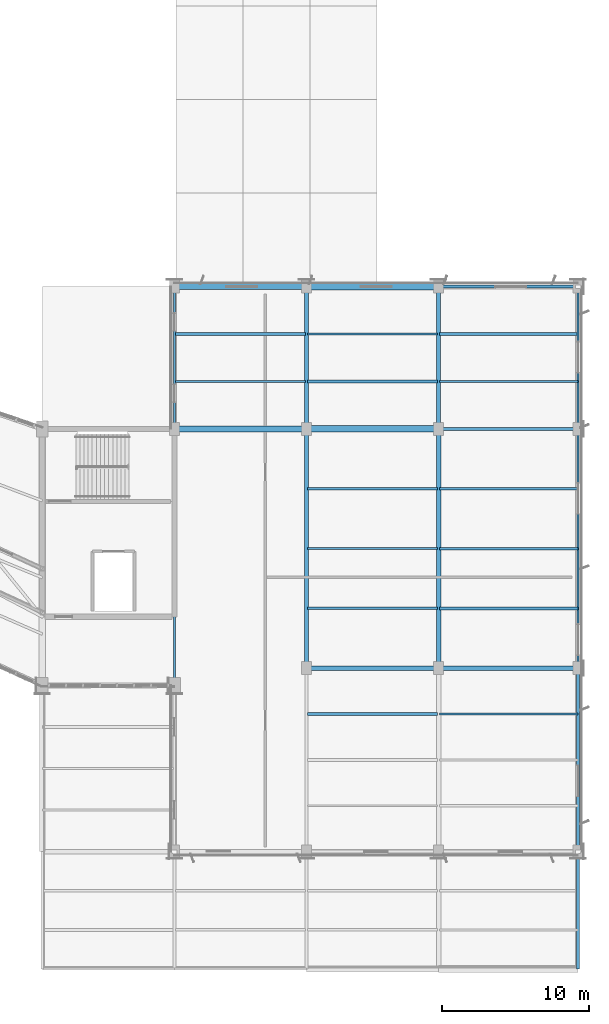
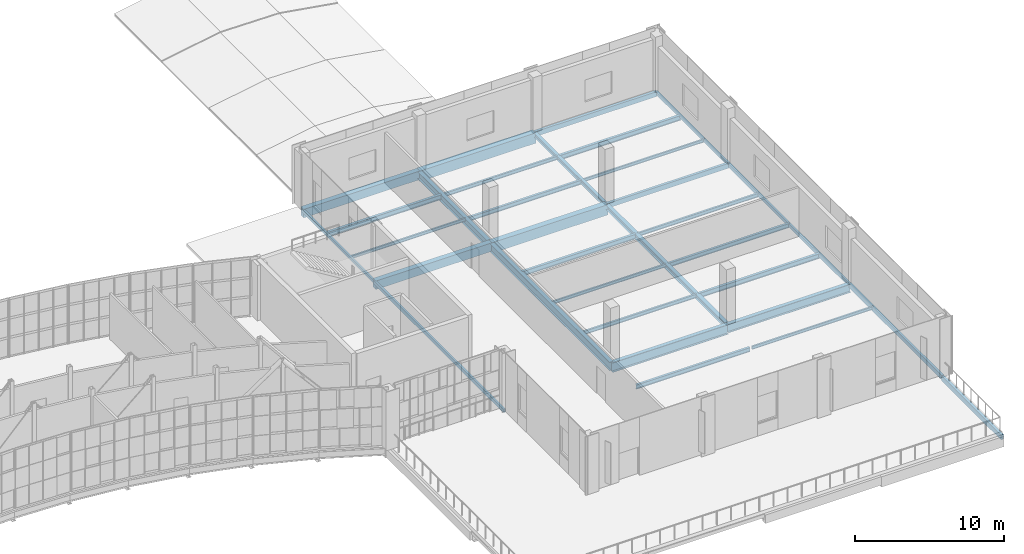
# One storey, part 54 of 86: 32 beams.
"""IFC4 building model written with IfcOpenShell, lengths in metres."""

import ifcopenshell
import ifcopenshell.guid

model = None  # the IFC model being written
_history = None  # IfcOwnerHistory: only IFC2X3 demands one
_inside = {}  # id of a spatial element -> (the spatial element, [elements in it])
_under = {}  # id of a project, library or spatial element -> (it, [spatial elements below it])
_declared = {}  # id of a project -> (the project, [libraries it declares])
_typed = {}  # id of a type object -> (the type object, [elements of that type])
_made_of = {}  # id of a material, layer set ... -> (it, [elements and type objects made of it])


def new_model(schema):
    """Start an empty IFC model of exactly this schema.

    Asked for "IFC4X3", IfcOpenShell would pick the latest addendum, in which some entities
    have other attributes; the version numbers below select the first issue.
    IFC2X3 requires an IfcOwnerHistory on every rooted entity: one is made here for all.
    """
    global model, _history
    if schema == "IFC4X3":
        model = ifcopenshell.file(schema_version=(4, 3, 0, 0))
    else:
        model = ifcopenshell.file(schema=schema)
    _inside.clear()
    _under.clear()
    _declared.clear()
    _typed.clear()
    _made_of.clear()
    _history = None
    if model.schema == "IFC2X3":
        org = make("IfcOrganization", Name="unknown")
        user = make(
            "IfcPersonAndOrganization",
            ThePerson=make("IfcPerson", FamilyName="unknown"),
            TheOrganization=org,
        )
        app = make(
            "IfcApplication",
            ApplicationDeveloper=org,
            Version="unknown",
            ApplicationFullName="unknown",
            ApplicationIdentifier="unknown",
        )
        _history = make(
            "IfcOwnerHistory",
            OwningUser=user,
            OwningApplication=app,
            ChangeAction="ADDED",
            CreationDate=0,
        )
    return model


def make(cls, **values):
    """One entity of the class cls with the attributes given. An attribute that is None is left unset."""
    return model.create_entity(
        cls, **{name: value for name, value in values.items() if value is not None}
    )


def rooted(cls, **values):
    """An entity with a GlobalId (a new one), such as an element, a storey or a relation."""
    return make(cls, GlobalId=ifcopenshell.guid.new(), OwnerHistory=_history, **values)


def si_unit(unit_type, name, prefix=None):
    """IfcSIUnit, for example si_unit("LENGTHUNIT", "METRE", prefix="MILLI")."""
    return make("IfcSIUnit", UnitType=unit_type, Prefix=prefix, Name=name)


def assignment(units):
    """IfcUnitAssignment: the units of a project."""
    return None if units is None else make("IfcUnitAssignment", Units=units)


def point(xyz):
    """IfcCartesianPoint."""
    return None if xyz is None else make("IfcCartesianPoint", Coordinates=xyz)


def direction(xyz):
    """IfcDirection."""
    return None if xyz is None else make("IfcDirection", DirectionRatios=xyz)


def frame(location, z_axis=None, x_axis=None):
    """IfcAxis2Placement3D, a coordinate frame: its origin and axes. An axis left out is left unset."""
    return make(
        "IfcAxis2Placement3D",
        Location=point(location),
        Axis=direction(z_axis),
        RefDirection=direction(x_axis),
    )


def frame_2d(location, x_axis=None):
    """IfcAxis2Placement2D, a coordinate frame in the plane: its origin and x axis."""
    return make(
        "IfcAxis2Placement2D", Location=point(location), RefDirection=direction(x_axis)
    )


def origin():
    """The frame at (0, 0, 0) with its axes left unset."""
    return frame((0.0, 0.0, 0.0))


def origin_2d():
    """The frame at (0, 0) in the plane with its x axis left unset."""
    return frame_2d((0.0, 0.0))


def place(relative_to, where):
    """IfcLocalPlacement: puts the frame where relative to a parent placement (None: the world)."""
    return make(
        "IfcLocalPlacement", PlacementRelTo=relative_to, RelativePlacement=where
    )


def context(
    kind, dimensions, precision=None, world=None, true_north=None, identifier=None
):
    """IfcGeometricRepresentationContext, for example the 3D "Model" context."""
    return make(
        "IfcGeometricRepresentationContext",
        ContextIdentifier=identifier,
        ContextType=kind,
        CoordinateSpaceDimension=dimensions,
        Precision=precision,
        WorldCoordinateSystem=world,
        TrueNorth=true_north,
    )


def subcontext(parent, identifier, kind, view, scale=None):
    """IfcGeometricRepresentationSubContext, for example "Body" below "Model"."""
    return make(
        "IfcGeometricRepresentationSubContext",
        ContextIdentifier=identifier,
        ContextType=kind,
        ParentContext=parent,
        TargetScale=scale,
        TargetView=view,
    )


def project(units=None, contexts=None):
    """IfcProject with its units and contexts."""
    return rooted(
        "IfcProject",
        Name="project",
        RepresentationContexts=contexts,
        UnitsInContext=assignment(units),
    )


def spatial(cls, under=None, at=None, **own):
    """A site, building, storey or space (cls), placed at a placement, below another one or the project."""
    s = rooted(cls, ObjectPlacement=at, **own)
    if under is not None:
        _under.setdefault(under.id(), (under, []))[1].append(s)
    return s


def profile(cls, at=None, kind="AREA", **sizes):
    """A parametric profile (cls). Its sizes go by their IFC names, for example OverallWidth=200.0."""
    return make(cls, ProfileType=kind, Position=at, **sizes)


def rectangle(**sizes):
    """IfcRectangleProfileDef."""
    return profile("IfcRectangleProfileDef", **sizes)


def hollow_rectangle(**sizes):
    """IfcRectangleHollowProfileDef."""
    return profile("IfcRectangleHollowProfileDef", **sizes)


def i_section(**sizes):
    """IfcIShapeProfileDef."""
    return profile("IfcIShapeProfileDef", **sizes)


def extrude(swept, where, along, depth):
    """IfcExtrudedAreaSolid: the profile swept, set in the frame where, extruded along a direction by depth."""
    return make(
        "IfcExtrudedAreaSolid",
        SweptArea=swept,
        Position=where,
        ExtrudedDirection=direction(along),
        Depth=depth,
    )


def shape(context_of_items, identifier, shape_type, items):
    """IfcShapeRepresentation: the items that make up one representation, for example the "Body"."""
    return make(
        "IfcShapeRepresentation",
        ContextOfItems=context_of_items,
        RepresentationIdentifier=identifier,
        RepresentationType=shape_type,
        Items=items,
    )


def material(Name=None, Category=None):
    """IfcMaterial."""
    return make("IfcMaterial", Name=Name, Category=Category)


def material_profile(
    of_material, cross_section, Name=None, Category=None, Priority=None
):
    """IfcMaterialProfile: a cross section and its material."""
    return make(
        "IfcMaterialProfile",
        Name=Name,
        Material=of_material,
        Profile=cross_section,
        Priority=Priority,
        Category=Category,
    )


def profile_set(profiles, Name=None, composite=None):
    """IfcMaterialProfileSet."""
    return make(
        "IfcMaterialProfileSet",
        Name=Name,
        MaterialProfiles=profiles,
        CompositeProfile=composite,
    )


def made_of(thing, what):
    """Note that an element or type object is made of a material, layer set ...; save() writes the relation."""
    if what is not None:
        _made_of.setdefault(what.id(), (what, []))[1].append(thing)
    return thing


def type_object(cls, material=None, **own):
    """A type object (cls), such as IfcWallType, which elements share."""
    return made_of(rooted(cls, **own), material)


def element(
    cls,
    number,
    at=None,
    inside=None,
    cuts=None,
    type_object=None,
    material=None,
    context=None,
    identifier="Body",
    shape_type=None,
    held_by="IfcProductDefinitionShape",
    body=None,
    shapes=None,
    **own,
):
    """One element of the class cls, such as IfcWall. Its Tag is "e" and its number.

    at: its placement. inside: the storey or other place that contains it. cuts: it is an
    opening in that element (IfcRelVoidsElement). A single representation is given by context,
    identifier, shape_type and body (its items); several are given by shapes. held_by: the class
    of the entity that holds the representations. save() writes the other relations.
    """
    e = rooted(cls, Tag="e%d" % number, ObjectPlacement=at, **own)
    if body is not None:
        shapes = [shape(context, identifier, shape_type, body)]
    if shapes is not None:
        e.Representation = make(held_by, Representations=shapes)
    if inside is not None:
        _inside.setdefault(inside.id(), (inside, []))[1].append(e)
    if cuts is not None:
        rooted(
            "IfcRelVoidsElement", RelatingBuildingElement=cuts, RelatedOpeningElement=e
        )
    if type_object is not None:
        _typed.setdefault(type_object.id(), (type_object, []))[1].append(e)
    return made_of(e, material)


def aggregate(whole, parts):
    """IfcRelAggregates: a whole, such as a stair, and the parts it consists of."""
    return rooted("IfcRelAggregates", RelatingObject=whole, RelatedObjects=parts)


def save(model, path):
    """Write the relations noted so far, then the file.

    IfcRelAggregates (storeys below a building ...), IfcRelContainedInSpatialStructure (elements
    in a storey), IfcRelDefinesByType, IfcRelAssociatesMaterial and IfcRelDeclares: one each for
    every whole, place, type object, material and project.
    """
    for whole, parts in _under.values():
        aggregate(whole, parts)
    for where, things in _inside.values():
        rooted(
            "IfcRelContainedInSpatialStructure",
            RelatedElements=things,
            RelatingStructure=where,
        )
    for kind, things in _typed.values():
        rooted("IfcRelDefinesByType", RelatedObjects=things, RelatingType=kind)
    for what, things in _made_of.values():
        rooted("IfcRelAssociatesMaterial", RelatedObjects=things, RelatingMaterial=what)
    for by, libraries in _declared.values():
        rooted("IfcRelDeclares", RelatingContext=by, RelatedDefinitions=libraries)
    model.write(path)


model = new_model("IFC4")

# Units and contexts
model_context = context("Model", 3, precision=1e-05, world=origin(), true_north=direction((0.0, 1.0)))
body_context = subcontext(model_context, "Body", "Model", "MODEL_VIEW")
ifc_project = project(units=[si_unit("LENGTHUNIT", "METRE"), si_unit("AREAUNIT", "SQUARE_METRE"), si_unit("VOLUMEUNIT", "CUBIC_METRE"), si_unit("PLANEANGLEUNIT", "RADIAN"), si_unit("MASSUNIT", "GRAM", prefix="KILO")], contexts=[model_context])

# Site, building, storey
site_placement = place(None, origin())
site = spatial("IfcSite", under=ifc_project, at=site_placement, CompositionType="ELEMENT")
building_placement = place(site_placement, origin())
building = spatial("IfcBuilding", under=site, at=building_placement, Name="Solvikara Media Centre", CompositionType="ELEMENT")
storey_placement = place(building_placement, frame((0.0, 0.0, 15.0)))
storey = spatial("IfcBuildingStorey", under=building, at=storey_placement, Name="L03", CompositionType="ELEMENT", Elevation=15.0)

# Beams
ifc_material_1 = material(Name="Concrete fc' 35 MPa (C35/45)", Category="concrete")
ifc_material_profile_1 = material_profile(ifc_material_1, rectangle(XDim=0.39990234375, YDim=0.699951171875, at=origin_2d()), Name="RC 400x700")
ifc_profile_set_1 = profile_set([ifc_material_profile_1], Name="Concrete fc' 35 MPa (C35/45)")
beam_type_1 = type_object("IfcBeamType", Name="BM-13", PredefinedType="SPANDREL", material=ifc_profile_set_1)
for number, where, z_axis, x_axis, name in (
    (1, (136.5, 36.800048828125, -0.590087890625), (1.0, 0.0, 0.0), (0.0, 1.0, 0.0), "B-L03-X1189"),
    (2, (136.5, 46.5, -0.590087890625), (1.0, 0.0, 0.0), (0.0, 1.0, 0.0), "B-L03-X1195"),
):
    element("IfcBeam", number, at=place(storey_placement, frame(where, z_axis=z_axis, x_axis=x_axis)), inside=storey, type_object=beam_type_1, Name=name, PredefinedType="SPANDREL", context=body_context, shape_type="SweptSolid", body=[
        extrude(rectangle(XDim=0.39990234375, YDim=0.699951171875, at=origin_2d()), origin(), (0.0, 0.0, 1.0), 9.0),
    ])
ifc_material_profile_2 = material_profile(ifc_material_1, rectangle(XDim=0.449951171875, YDim=0.85009765625, at=origin_2d()), Name="RC 450x850")
ifc_profile_set_2 = profile_set([ifc_material_profile_2], Name="Concrete fc' 35 MPa (C35/45)")
beam_type_2 = type_object("IfcBeamType", Name="BM-14", PredefinedType="SPANDREL", material=ifc_profile_set_2)
for number, where, z_axis, x_axis, name in (
    (3, (145.5, 36.800048828125, -0.6650390625), (1.0, 0.0, 0.0), (0.0, 1.0, 0.0), "B-L03-X1190"),
    (4, (145.5, 46.5, -0.6650390625), (1.0, 0.0, 0.0), (0.0, 1.0, 0.0), "B-L03-X1196"),
):
    element("IfcBeam", number, at=place(storey_placement, frame(where, z_axis=z_axis, x_axis=x_axis)), inside=storey, type_object=beam_type_2, Name=name, PredefinedType="SPANDREL", context=body_context, shape_type="SweptSolid", body=[
        extrude(rectangle(XDim=0.449951171875, YDim=0.85009765625, at=origin_2d()), origin(), (0.0, 0.0, 1.0), 9.0),
    ])
ifc_material_2 = material(Name="Steel S355JR", Category="steel")
ifc_material_profile_3 = material_profile(ifc_material_2, i_section(OverallWidth=0.300048828125, OverallDepth=0.800048828125, WebThickness=0.013916015625, FlangeThickness=0.02587890625, at=origin_2d()), Name="WF 800x300x14x26")
ifc_profile_set_3 = profile_set([ifc_material_profile_3], Name="Steel S355JR")
beam_type_3 = type_object("IfcBeamType", Name="BM-16", PredefinedType="BEAM", material=ifc_profile_set_3)
beam_1_placement = place(storey_placement, frame((145.5, 20.5, -0.64208984375), z_axis=(1.0, 0.0, 0.0), x_axis=(0.0, 1.0, 0.0)))
element("IfcBeam", 5, at=beam_1_placement, inside=storey, type_object=beam_type_3, Name="B-L03-X1177", PredefinedType="BEAM", context=body_context, shape_type="SweptSolid", body=[
    extrude(i_section(OverallWidth=0.300048828125, OverallDepth=0.800048828125, WebThickness=0.013916015625, FlangeThickness=0.02587890625, at=origin_2d()), origin(), (0.0, 0.0, 1.0), 9.0),
])
ifc_material_profile_4 = material_profile(ifc_material_2, i_section(OverallWidth=0.300048828125, OverallDepth=0.699951171875, WebThickness=0.012939453125, FlangeThickness=0.02392578125, at=origin_2d()), Name="WF 700x300x13x24")
ifc_profile_set_4 = profile_set([ifc_material_profile_4], Name="Steel S355JR")
beam_type_4 = type_object("IfcBeamType", Name="BM-17", PredefinedType="BEAM", material=ifc_profile_set_4)
beam_2_placement = place(storey_placement, frame((154.5, 20.5, -0.592041015625), z_axis=(1.0, 0.0, 0.0), x_axis=(0.0, 1.0, 0.0)))
element("IfcBeam", 6, at=beam_2_placement, inside=storey, type_object=beam_type_4, Name="B-L03-X1178", PredefinedType="BEAM", context=body_context, shape_type="SweptSolid", body=[
    extrude(i_section(OverallWidth=0.300048828125, OverallDepth=0.699951171875, WebThickness=0.012939453125, FlangeThickness=0.02392578125, at=origin_2d()), origin(), (0.0, 0.0, 1.0), 9.5),
])
ifc_material_profile_5 = material_profile(ifc_material_2, i_section(OverallWidth=0.199951171875, OverallDepth=0.39990234375, WebThickness=0.008056640625, FlangeThickness=0.012939453125, at=origin_2d()), Name="WF 400x200x8x13")
ifc_profile_set_5 = profile_set([ifc_material_profile_5], Name="Steel S355JR")
beam_type_5 = type_object("IfcBeamType", Name="BM-21", PredefinedType="JOIST", material=ifc_profile_set_5)
beam_3_placement = place(storey_placement, frame((154.577880859375, 43.26708984375, -0.44189453125), z_axis=(1.0, 0.0, 0.0), x_axis=(0.0, 1.0, 0.0)))
element("IfcBeam", 7, at=beam_3_placement, inside=storey, type_object=beam_type_5, Name="J-L03-1433", PredefinedType="JOIST", context=body_context, shape_type="SweptSolid", body=[
    extrude(i_section(OverallWidth=0.199951171875, OverallDepth=0.39990234375, WebThickness=0.008056640625, FlangeThickness=0.012939453125, at=origin_2d()), origin(), (0.0, 0.0, 1.0), 9.422119140625),
])
ifc_material_profile_6 = material_profile(ifc_material_2, i_section(OverallWidth=0.175048828125, OverallDepth=0.35009765625, WebThickness=0.007080078125, FlangeThickness=0.010986328125, at=origin_2d()), Name="WF 350x175x7x11")
ifc_profile_set_6 = profile_set([ifc_material_profile_6], Name="Steel S355JR")
beam_type_6 = type_object("IfcBeamType", Name="BM-22", PredefinedType="JOIST", material=ifc_profile_set_6)
beam_4_placement = place(storey_placement, frame((145.577880859375, 17.375, -0.4169921875), z_axis=(1.0, 0.0, 0.0), x_axis=(0.0, 1.0, 0.0)))
element("IfcBeam", 8, at=beam_4_placement, inside=storey, type_object=beam_type_6, Name="J-L03-1418", PredefinedType="JOIST", context=body_context, shape_type="SweptSolid", body=[
    extrude(i_section(OverallWidth=0.175048828125, OverallDepth=0.35009765625, WebThickness=0.007080078125, FlangeThickness=0.010986328125, at=origin_2d()), origin(), (0.0, 0.0, 1.0), 8.84423828125),
])
ifc_material_profile_7 = material_profile(ifc_material_2, i_section(OverallWidth=0.14990234375, OverallDepth=0.300048828125, WebThickness=0.006591796875, FlangeThickness=0.009033203125, at=origin_2d()), Name="WF 300x150x6.5x9")
ifc_profile_set_7 = profile_set([ifc_material_profile_7], Name="Steel S355JR")
beam_type_7 = type_object("IfcBeamType", Name="BM-23", PredefinedType="JOIST", material=ifc_profile_set_7)
beam_5_placement = place(storey_placement, frame((145.577880859375, 24.574951171875, -0.39208984375), z_axis=(1.0, 0.0, 0.0), x_axis=(0.0, 1.0, 0.0)))
element("IfcBeam", 9, at=beam_5_placement, inside=storey, type_object=beam_type_7, Name="J-L03-1419", PredefinedType="JOIST", context=body_context, shape_type="SweptSolid", body=[
    extrude(i_section(OverallWidth=0.14990234375, OverallDepth=0.300048828125, WebThickness=0.006591796875, FlangeThickness=0.009033203125, at=origin_2d()), origin(), (0.0, 0.0, 1.0), 8.84423828125),
])
ifc_material_profile_8 = material_profile(ifc_material_2, i_section(OverallWidth=0.125, OverallDepth=0.25, WebThickness=0.006103515625, FlangeThickness=0.009033203125, at=origin_2d()), Name="WF 250x125x6x9")
ifc_profile_set_8 = profile_set([ifc_material_profile_8], Name="Steel S355JR")
beam_type_8 = type_object("IfcBeamType", Name="BM-24", PredefinedType="JOIST", material=ifc_profile_set_8)
for number, where, z_axis, x_axis, name in (
    (10, (136.577880859375, 40.032958984375, -0.366943359375), (1.0, 0.0, 0.0), (0.0, 1.0, 0.0), "J-L03-1412"),
    (11, (145.577880859375, 28.64990234375, -0.366943359375), (1.0, 0.0, 0.0), (0.0, 1.0, 0.0), "J-L03-1420"),
):
    element("IfcBeam", number, at=place(storey_placement, frame(where, z_axis=z_axis, x_axis=x_axis)), inside=storey, type_object=beam_type_8, Name=name, PredefinedType="JOIST", context=body_context, shape_type="SweptSolid", body=[
        extrude(i_section(OverallWidth=0.125, OverallDepth=0.25, WebThickness=0.006103515625, FlangeThickness=0.009033203125, at=origin_2d()), origin(), (0.0, 0.0, 1.0), 8.84423828125),
    ])
beam_6_placement = place(storey_placement, frame((154.577880859375, 17.375, -0.366943359375), z_axis=(1.0, 0.0, 0.0), x_axis=(0.0, 1.0, 0.0)))
element("IfcBeam", 12, at=beam_6_placement, inside=storey, type_object=beam_type_8, Name="J-L03-1428", PredefinedType="JOIST", context=body_context, shape_type="SweptSolid", body=[
    extrude(i_section(OverallWidth=0.125, OverallDepth=0.25, WebThickness=0.006103515625, FlangeThickness=0.009033203125, at=origin_2d()), origin(), (0.0, 0.0, 1.0), 9.422119140625),
])
ifc_material_profile_9 = material_profile(ifc_material_2, i_section(OverallWidth=0.300048828125, OverallDepth=0.69189453125, WebThickness=0.012939453125, FlangeThickness=0.02001953125, at=origin_2d()), Name="H 692x300x13x20")
ifc_profile_set_9 = profile_set([ifc_material_profile_9], Name="Steel S355JR")
beam_type_9 = type_object("IfcBeamType", Name="BM-25", PredefinedType="BEAM", material=ifc_profile_set_9)
beam_7_placement = place(storey_placement, frame((145.5, 20.5, -0.587890625), z_axis=(0.0, 1.0, 0.0), x_axis=(-1.0, 0.0, 0.0)))
element("IfcBeam", 13, at=beam_7_placement, inside=storey, type_object=beam_type_9, Name="B-L03-Y1293", PredefinedType="BEAM", context=body_context, shape_type="SweptSolid", body=[
    extrude(i_section(OverallWidth=0.300048828125, OverallDepth=0.69189453125, WebThickness=0.012939453125, FlangeThickness=0.02001953125, at=origin_2d()), origin(), (0.0, 0.0, 1.0), 16.300048828125),
])
ifc_material_profile_10 = material_profile(ifc_material_2, i_section(OverallWidth=0.300048828125, OverallDepth=0.587890625, WebThickness=0.011962890625, FlangeThickness=0.02001953125, at=origin_2d()), Name="H 588x300x12x20")
ifc_profile_set_10 = profile_set([ifc_material_profile_10], Name="Steel S355JR")
beam_type_10 = type_object("IfcBeamType", Name="BM-26", PredefinedType="BEAM", material=ifc_profile_set_10)
beam_8_placement = place(storey_placement, frame((145.5, 36.800048828125, -0.535888671875), z_axis=(0.0, 1.0, 0.0), x_axis=(-1.0, 0.0, 0.0)))
element("IfcBeam", 14, at=beam_8_placement, inside=storey, type_object=beam_type_10, Name="B-L03-Y1294", PredefinedType="BEAM", context=body_context, shape_type="SweptSolid", body=[
    extrude(i_section(OverallWidth=0.300048828125, OverallDepth=0.587890625, WebThickness=0.011962890625, FlangeThickness=0.02001953125, at=origin_2d()), origin(), (0.0, 0.0, 1.0), 9.699951171875),
])
ifc_material_profile_11 = material_profile(ifc_material_2, i_section(OverallWidth=0.300048828125, OverallDepth=0.389892578125, WebThickness=0.010009765625, FlangeThickness=0.01611328125, at=origin_2d()), Name="H 390x300x10x16")
ifc_profile_set_11 = profile_set([ifc_material_profile_11], Name="Steel S355JR")
beam_type_11 = type_object("IfcBeamType", Name="BM-29", PredefinedType="BEAM", material=ifc_profile_set_11)
beam_9_placement = place(storey_placement, frame((154.5, 20.5, -0.43701171875), z_axis=(0.0, 1.0, 0.0), x_axis=(-1.0, 0.0, 0.0)))
element("IfcBeam", 15, at=beam_9_placement, inside=storey, type_object=beam_type_11, Name="B-L03-Y1297", PredefinedType="BEAM", context=body_context, shape_type="SweptSolid", body=[
    extrude(i_section(OverallWidth=0.300048828125, OverallDepth=0.389892578125, WebThickness=0.010009765625, FlangeThickness=0.01611328125, at=origin_2d()), origin(), (0.0, 0.0, 1.0), 16.300048828125),
])
ifc_material_profile_12 = material_profile(ifc_material_2, i_section(OverallWidth=0.25, OverallDepth=0.340087890625, WebThickness=0.009033203125, FlangeThickness=0.013916015625, at=origin_2d()), Name="H 340x250x9x14")
ifc_profile_set_12 = profile_set([ifc_material_profile_12], Name="Steel S355JR")
beam_type_12 = type_object("IfcBeamType", Name="BM-30", PredefinedType="BEAM", material=ifc_profile_set_12)
beam_10_placement = place(storey_placement, frame((154.5, 36.800048828125, -0.412109375), z_axis=(0.0, 1.0, 0.0), x_axis=(-1.0, 0.0, 0.0)))
element("IfcBeam", 16, at=beam_10_placement, inside=storey, type_object=beam_type_12, Name="B-L03-Y1298", PredefinedType="BEAM", context=body_context, shape_type="SweptSolid", body=[
    extrude(i_section(OverallWidth=0.25, OverallDepth=0.340087890625, WebThickness=0.009033203125, FlangeThickness=0.013916015625, at=origin_2d()), origin(), (0.0, 0.0, 1.0), 9.699951171875),
])
ifc_material_profile_13 = material_profile(ifc_material_2, hollow_rectangle(XDim=0.199951171875, YDim=0.39990234375, WallThickness=0.011962890625, at=origin_2d()), Name="RHS 400x200x12")
ifc_profile_set_13 = profile_set([ifc_material_profile_13], Name="Steel S355JR")
beam_type_13 = type_object("IfcBeamType", Name="BM-33", PredefinedType="SPANDREL", material=ifc_profile_set_13)
for number, where, z_axis, x_axis, name in (
    (17, (154.5, 36.800048828125, -0.44189453125), (1.0, 0.0, 0.0), (0.0, 1.0, 0.0), "B-L03-X1191"),
    (18, (154.5, 46.5, -0.44189453125), (1.0, 0.0, 0.0), (0.0, 1.0, 0.0), "B-L03-X1197"),
):
    element("IfcBeam", number, at=place(storey_placement, frame(where, z_axis=z_axis, x_axis=x_axis)), inside=storey, type_object=beam_type_13, Name=name, PredefinedType="SPANDREL", context=body_context, shape_type="SweptSolid", body=[
        extrude(hollow_rectangle(XDim=0.199951171875, YDim=0.39990234375, WallThickness=0.011962890625, at=origin_2d()), origin(), (0.0, 0.0, 1.0), 9.5),
    ])
beam_11_placement = place(storey_placement, frame((164.0, 0.0, -0.471923828125), z_axis=(0.0, 1.0, 0.0), x_axis=(-1.0, 0.0, 0.0)))
element("IfcBeam", 19, at=beam_11_placement, inside=storey, type_object=beam_type_13, Name="B-L03-Y1299", PredefinedType="SPANDREL", context=body_context, shape_type="SweptSolid", body=[
    extrude(hollow_rectangle(XDim=0.199951171875, YDim=0.39990234375, WallThickness=0.011962890625, at=origin_2d()), origin(), (0.0, 0.0, 1.0), 8.0),
])
ifc_material_profile_14 = material_profile(ifc_material_2, hollow_rectangle(XDim=0.175048828125, YDim=0.35009765625, WallThickness=0.010009765625, at=origin_2d()), Name="RHS 350x175x10")
ifc_profile_set_14 = profile_set([ifc_material_profile_14], Name="Steel S355JR")
beam_type_14 = type_object("IfcBeamType", Name="BM-34", PredefinedType="SPANDREL", material=ifc_profile_set_14)
beam_12_placement = place(storey_placement, frame((164.0, 8.0, -0.4169921875), z_axis=(0.0, 1.0, 0.0), x_axis=(-1.0, 0.0, 0.0)))
element("IfcBeam", 20, at=beam_12_placement, inside=storey, type_object=beam_type_14, Name="B-L03-Y1300", PredefinedType="SPANDREL", context=body_context, shape_type="SweptSolid", body=[
    extrude(hollow_rectangle(XDim=0.175048828125, YDim=0.35009765625, WallThickness=0.010009765625, at=origin_2d()), origin(), (0.0, 0.0, 1.0), 12.5),
])
ifc_material_profile_15 = material_profile(ifc_material_2, hollow_rectangle(XDim=0.14990234375, YDim=0.300048828125, WallThickness=0.010009765625, at=origin_2d()), Name="RHS 300x150x10")
ifc_profile_set_15 = profile_set([ifc_material_profile_15], Name="Steel S355JR")
beam_type_15 = type_object("IfcBeamType", Name="BM-35", PredefinedType="BEAM", material=ifc_profile_set_15)
beam_13_placement = place(storey_placement, frame((136.5, 19.323974609375, -0.39208984375), z_axis=(0.0, 1.0, 0.0), x_axis=(-1.0, 0.0, 0.0)))
element("IfcBeam", 21, at=beam_13_placement, inside=storey, type_object=beam_type_15, Name="B-L03-Y1289", PredefinedType="BEAM", context=body_context, shape_type="SweptSolid", body=[
    extrude(hollow_rectangle(XDim=0.14990234375, YDim=0.300048828125, WallThickness=0.010009765625, at=origin_2d()), origin(), (0.0, 0.0, 1.0), 17.47607421875),
])
beam_14_placement = place(storey_placement, frame((164.0, 20.5, -0.39208984375), z_axis=(0.0, 1.0, 0.0), x_axis=(-1.0, 0.0, 0.0)))
element("IfcBeam", 22, at=beam_14_placement, inside=storey, type_object=beam_type_15, Name="B-L03-Y1301", PredefinedType="BEAM", context=body_context, shape_type="SweptSolid", body=[
    extrude(hollow_rectangle(XDim=0.14990234375, YDim=0.300048828125, WallThickness=0.010009765625, at=origin_2d()), origin(), (0.0, 0.0, 1.0), 16.300048828125),
])
ifc_material_profile_16 = material_profile(ifc_material_2, hollow_rectangle(XDim=0.14990234375, YDim=0.25, WallThickness=0.008056640625, at=origin_2d()), Name="RHS 250x150x8")
ifc_profile_set_16 = profile_set([ifc_material_profile_16], Name="Steel S355JR")
beam_type_16 = type_object("IfcBeamType", Name="BM-36", PredefinedType="JOIST", material=ifc_profile_set_16)
for number, where, z_axis, x_axis, name in (
    (23, (136.5, 36.800048828125, -0.366943359375), (0.0, 1.0, 0.0), (-1.0, 0.0, 0.0), "B-L03-Y1290"),
    (24, (164.0, 36.800048828125, -0.366943359375), (0.0, 1.0, 0.0), (-1.0, 0.0, 0.0), "B-L03-Y1302"),
):
    element("IfcBeam", number, at=place(storey_placement, frame(where, z_axis=z_axis, x_axis=x_axis)), inside=storey, type_object=beam_type_16, Name=name, PredefinedType="JOIST", context=body_context, shape_type="SweptSolid", body=[
        extrude(hollow_rectangle(XDim=0.14990234375, YDim=0.25, WallThickness=0.008056640625, at=origin_2d()), origin(), (0.0, 0.0, 1.0), 9.699951171875),
    ])
ifc_material_profile_17 = material_profile(ifc_material_2, i_section(OverallWidth=0.198974609375, OverallDepth=0.39599609375, WebThickness=0.007080078125, FlangeThickness=0.010986328125, at=origin_2d()), Name="WF 396x199x7x11")
ifc_profile_set_17 = profile_set([ifc_material_profile_17], Name="Steel S355JR")
beam_type_17 = type_object("IfcBeamType", Name="BM-37", PredefinedType="JOIST", material=ifc_profile_set_17)
for number, where, z_axis, x_axis, name in (
    (25, (136.577880859375, 43.26708984375, -0.43994140625), (1.0, 0.0, 0.0), (0.0, 1.0, 0.0), "J-L03-1413"),
    (26, (145.577880859375, 32.72509765625, -0.43994140625), (1.0, 0.0, 0.0), (0.0, 1.0, 0.0), "J-L03-1421"),
):
    element("IfcBeam", number, at=place(storey_placement, frame(where, z_axis=z_axis, x_axis=x_axis)), inside=storey, type_object=beam_type_17, Name=name, PredefinedType="JOIST", context=body_context, shape_type="SweptSolid", body=[
        extrude(i_section(OverallWidth=0.198974609375, OverallDepth=0.39599609375, WebThickness=0.007080078125, FlangeThickness=0.010986328125, at=origin_2d()), origin(), (0.0, 0.0, 1.0), 8.84423828125),
    ])
beam_15_placement = place(storey_placement, frame((154.577880859375, 24.574951171875, -0.43994140625), z_axis=(1.0, 0.0, 0.0), x_axis=(0.0, 1.0, 0.0)))
element("IfcBeam", 27, at=beam_15_placement, inside=storey, type_object=beam_type_17, Name="J-L03-1429", PredefinedType="JOIST", context=body_context, shape_type="SweptSolid", body=[
    extrude(i_section(OverallWidth=0.198974609375, OverallDepth=0.39599609375, WebThickness=0.007080078125, FlangeThickness=0.010986328125, at=origin_2d()), origin(), (0.0, 0.0, 1.0), 9.422119140625),
])
ifc_material_profile_18 = material_profile(ifc_material_2, i_section(OverallWidth=0.174072265625, OverallDepth=0.345947265625, WebThickness=0.006103515625, FlangeThickness=0.009033203125, at=origin_2d()), Name="WF 346x174x6x9")
ifc_profile_set_18 = profile_set([ifc_material_profile_18], Name="Steel S355JR")
beam_type_18 = type_object("IfcBeamType", Name="BM-38", PredefinedType="JOIST", material=ifc_profile_set_18)
beam_16_placement = place(storey_placement, frame((145.577880859375, 40.032958984375, -0.4150390625), z_axis=(1.0, 0.0, 0.0), x_axis=(0.0, 1.0, 0.0)))
element("IfcBeam", 28, at=beam_16_placement, inside=storey, type_object=beam_type_18, Name="J-L03-1422", PredefinedType="JOIST", context=body_context, shape_type="SweptSolid", body=[
    extrude(i_section(OverallWidth=0.174072265625, OverallDepth=0.345947265625, WebThickness=0.006103515625, FlangeThickness=0.009033203125, at=origin_2d()), origin(), (0.0, 0.0, 1.0), 8.84423828125),
])
beam_17_placement = place(storey_placement, frame((154.577880859375, 28.64990234375, -0.4150390625), z_axis=(1.0, 0.0, 0.0), x_axis=(0.0, 1.0, 0.0)))
element("IfcBeam", 29, at=beam_17_placement, inside=storey, type_object=beam_type_18, Name="J-L03-1430", PredefinedType="JOIST", context=body_context, shape_type="SweptSolid", body=[
    extrude(i_section(OverallWidth=0.174072265625, OverallDepth=0.345947265625, WebThickness=0.006103515625, FlangeThickness=0.009033203125, at=origin_2d()), origin(), (0.0, 0.0, 1.0), 9.422119140625),
])
ifc_material_profile_19 = material_profile(ifc_material_2, i_section(OverallWidth=0.14892578125, OverallDepth=0.298095703125, WebThickness=0.005615234375, FlangeThickness=0.008056640625, at=origin_2d()), Name="WF 298x149x5.5x8")
ifc_profile_set_19 = profile_set([ifc_material_profile_19], Name="Steel S355JR")
beam_type_19 = type_object("IfcBeamType", Name="BM-39", PredefinedType="JOIST", material=ifc_profile_set_19)
beam_18_placement = place(storey_placement, frame((145.577880859375, 43.26708984375, -0.39111328125), z_axis=(1.0, 0.0, 0.0), x_axis=(0.0, 1.0, 0.0)))
element("IfcBeam", 30, at=beam_18_placement, inside=storey, type_object=beam_type_19, Name="J-L03-1423", PredefinedType="JOIST", context=body_context, shape_type="SweptSolid", body=[
    extrude(i_section(OverallWidth=0.14892578125, OverallDepth=0.298095703125, WebThickness=0.005615234375, FlangeThickness=0.008056640625, at=origin_2d()), origin(), (0.0, 0.0, 1.0), 8.84423828125),
])
beam_19_placement = place(storey_placement, frame((154.577880859375, 32.72509765625, -0.39111328125), z_axis=(1.0, 0.0, 0.0), x_axis=(0.0, 1.0, 0.0)))
element("IfcBeam", 31, at=beam_19_placement, inside=storey, type_object=beam_type_19, Name="J-L03-1431", PredefinedType="JOIST", context=body_context, shape_type="SweptSolid", body=[
    extrude(i_section(OverallWidth=0.14892578125, OverallDepth=0.298095703125, WebThickness=0.005615234375, FlangeThickness=0.008056640625, at=origin_2d()), origin(), (0.0, 0.0, 1.0), 9.422119140625),
])
ifc_material_profile_20 = material_profile(ifc_material_2, i_section(OverallWidth=0.1240234375, OverallDepth=0.248046875, WebThickness=0.0048828125, FlangeThickness=0.008056640625, at=origin_2d()), Name="WF 248x124x5x8")
ifc_profile_set_20 = profile_set([ifc_material_profile_20], Name="Steel S355JR")
beam_type_20 = type_object("IfcBeamType", Name="BM-40", PredefinedType="JOIST", material=ifc_profile_set_20)
beam_20_placement = place(storey_placement, frame((154.577880859375, 40.032958984375, -0.365966796875), z_axis=(1.0, 0.0, 0.0), x_axis=(0.0, 1.0, 0.0)))
element("IfcBeam", 32, at=beam_20_placement, inside=storey, type_object=beam_type_20, Name="J-L03-1432", PredefinedType="JOIST", context=body_context, shape_type="SweptSolid", body=[
    extrude(i_section(OverallWidth=0.1240234375, OverallDepth=0.248046875, WebThickness=0.0048828125, FlangeThickness=0.008056640625, at=origin_2d()), origin(), (0.0, 0.0, 1.0), 9.422119140625),
])

save(model, "model.ifc")
